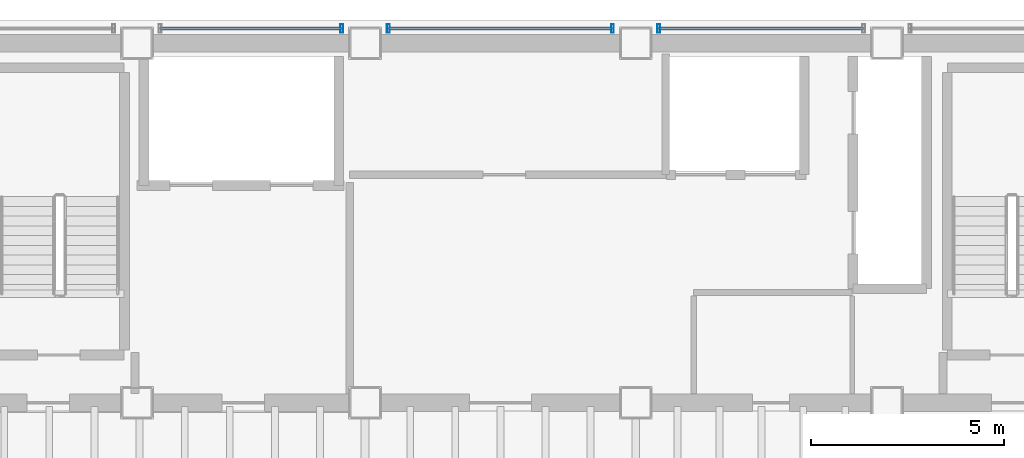
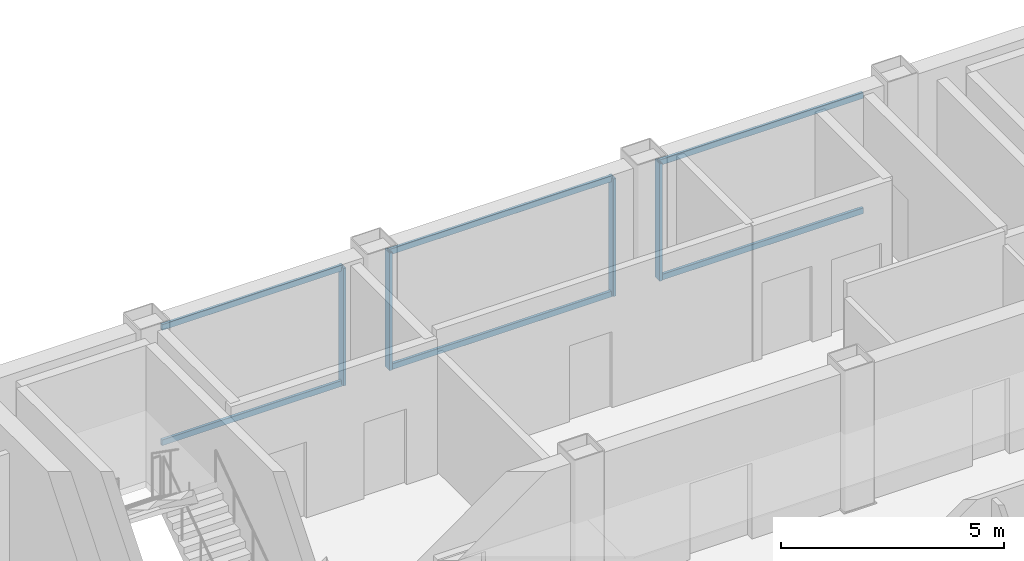
# One storey, part 9 of 17: 10 members, 3 elements without a shape of their own.
"""IFC4 building model written with IfcOpenShell, lengths in metres."""

from ifc_helpers import new_model, si_unit, direction, frame, origin, origin_2d, place, context, subcontext, project, spatial, hollow_rectangle, extrude, material, material_profile, profile_set, type_object, element, aggregate, save


model = new_model("IFC4")

# Units and contexts
model_context = context("Model", 3, precision=1e-05, world=origin(), true_north=direction((0.0, 1.0)))
body_context = subcontext(model_context, "Body", "Model", "MODEL_VIEW")
ifc_project = project(units=[si_unit("LENGTHUNIT", "METRE"), si_unit("AREAUNIT", "SQUARE_METRE"), si_unit("VOLUMEUNIT", "CUBIC_METRE"), si_unit("PLANEANGLEUNIT", "RADIAN"), si_unit("MASSUNIT", "GRAM", prefix="KILO")], contexts=[model_context])

# Site, building, storey
site_placement = place(None, origin())
site = spatial("IfcSite", under=ifc_project, at=site_placement, CompositionType="ELEMENT")
building_placement = place(site_placement, origin())
building = spatial("IfcBuilding", under=site, at=building_placement, Name="Noeulbin Bourse Tower", CompositionType="ELEMENT")
storey_placement = place(building_placement, frame((0.0, 0.0, 250.10009765625)))
storey = spatial("IfcBuildingStorey", under=building, at=storey_placement, Name="L62", CompositionType="ELEMENT", Elevation=250.10009765625)

# Curtain wall, member
ifc_material_1 = material(Name="High-Selectivity Low-Iron Glazing", Category="glass")
curtain_wall_type = type_object("IfcCurtainWallType", Name="CW-SYS-4", PredefinedType="NOTDEFINED", material=ifc_material_1)
curtain_wall_1_placement = place(storey_placement, origin())
curtain_wall_1 = element("IfcCurtainWall", 1, at=curtain_wall_1_placement, inside=storey, type_object=curtain_wall_type, Name="Unitised Curtain Wall CW-L62-N-S3", PredefinedType="NOTDEFINED")
ifc_material_2 = material(Name="Anodised Aluminium 6063-T6", Category="aluminium")
ifc_material_profile_1 = material_profile(ifc_material_2, hollow_rectangle(XDim=0.074951171875, YDim=0.219970703125, WallThickness=0.0048828125, InnerFilletRadius=0.00244140625, OuterFilletRadius=0.0048828125, at=origin_2d()), Name="ALU-MULL-75x220x5", Category="LoadBearing")
ifc_profile_set_1 = profile_set([ifc_material_profile_1], Name="Anodised Aluminium 6063-T6")
member_type_1 = type_object("IfcMemberType", Name="CW-SYS-4-MUL", PredefinedType="MULLION", material=ifc_profile_set_1)
member_1_placement = place(storey_placement, frame((23.39990234375, 38.679931640625, -0.02001953125), z_axis=(0.0, 0.0, 1.0), x_axis=(1.0, 0.0, 0.0)))
member_1 = element("IfcMember", 2, at=member_1_placement, type_object=member_type_1, Name="Curtain Wall Mullion CW-L62-N-S3-M01", PredefinedType="MULLION", context=body_context, shape_type="SweptSolid", body=[
    extrude(hollow_rectangle(XDim=0.074951171875, YDim=0.219970703125, WallThickness=0.0048828125, InnerFilletRadius=0.00244140625, OuterFilletRadius=0.0048828125, at=origin_2d()), origin(), (0.0, 0.0, 1.0), 3.219970703125),
])

# Curtain wall, members
curtain_wall_2_placement = place(storey_placement, origin())
curtain_wall_2 = element("IfcCurtainWall", 3, at=curtain_wall_2_placement, inside=storey, type_object=curtain_wall_type, Name="Unitised Curtain Wall CW-L62-N-S4", PredefinedType="NOTDEFINED")
member_2_placement = place(storey_placement, frame((24.60009765625, 38.679931640625, -0.02001953125), z_axis=(0.0, 0.0, 1.0), x_axis=(1.0, 0.0, 0.0)))
member_2 = element("IfcMember", 4, at=member_2_placement, type_object=member_type_1, Name="Curtain Wall Mullion CW-L62-N-S4-M00", PredefinedType="MULLION", context=body_context, shape_type="SweptSolid", body=[
    extrude(hollow_rectangle(XDim=0.074951171875, YDim=0.219970703125, WallThickness=0.0048828125, InnerFilletRadius=0.00244140625, OuterFilletRadius=0.0048828125, at=origin_2d()), origin(), (0.0, 0.0, 1.0), 3.219970703125),
])
member_3_placement = place(storey_placement, frame((30.39990234375, 38.679931640625, -0.02001953125), z_axis=(0.0, 0.0, 1.0), x_axis=(1.0, 0.0, 0.0)))
member_3 = element("IfcMember", 5, at=member_3_placement, type_object=member_type_1, Name="Curtain Wall Mullion CW-L62-N-S4-M01", PredefinedType="MULLION", context=body_context, shape_type="SweptSolid", body=[
    extrude(hollow_rectangle(XDim=0.074951171875, YDim=0.219970703125, WallThickness=0.0048828125, InnerFilletRadius=0.00244140625, OuterFilletRadius=0.0048828125, at=origin_2d()), origin(), (0.0, 0.0, 1.0), 3.219970703125),
])

# Curtain wall, member
curtain_wall_3_placement = place(storey_placement, origin())
curtain_wall_3 = element("IfcCurtainWall", 6, at=curtain_wall_3_placement, inside=storey, type_object=curtain_wall_type, Name="Unitised Curtain Wall CW-L62-N-S5", PredefinedType="NOTDEFINED")
member_4_placement = place(storey_placement, frame((31.60009765625, 38.679931640625, -0.02001953125), z_axis=(0.0, 0.0, 1.0), x_axis=(1.0, 0.0, 0.0)))
member_4 = element("IfcMember", 7, at=member_4_placement, type_object=member_type_1, Name="Curtain Wall Mullion CW-L62-N-S5-M00", PredefinedType="MULLION", context=body_context, shape_type="SweptSolid", body=[
    extrude(hollow_rectangle(XDim=0.074951171875, YDim=0.219970703125, WallThickness=0.0048828125, InnerFilletRadius=0.00244140625, OuterFilletRadius=0.0048828125, at=origin_2d()), origin(), (0.0, 0.0, 1.0), 3.219970703125),
])

# Member
ifc_material_profile_2 = material_profile(ifc_material_2, hollow_rectangle(XDim=0.074951171875, YDim=0.159912109375, WallThickness=0.0048828125, InnerFilletRadius=0.00244140625, OuterFilletRadius=0.0048828125, at=origin_2d()), Name="ALU-TRAN-75x160x5", Category="LoadBearing")
ifc_profile_set_2 = profile_set([ifc_material_profile_2], Name="Anodised Aluminium 6063-T6")
member_type_2 = type_object("IfcMemberType", Name="CW-SYS-4-TRN", PredefinedType="USERDEFINED", material=ifc_profile_set_2)
member_5_placement = place(storey_placement, frame((18.7099609375, 38.679931640625, 0.010009765625), z_axis=(1.0, 0.0, 0.0), x_axis=(0.0, 1.0, 0.0)))
member_5 = element("IfcMember", 8, at=member_5_placement, type_object=member_type_2, Name="Curtain Wall Transom CW-L62-N-S3-T00", ObjectType="TRANSOM", PredefinedType="USERDEFINED", context=body_context, shape_type="SweptSolid", body=[
    extrude(hollow_rectangle(XDim=0.074951171875, YDim=0.159912109375, WallThickness=0.0048828125, InnerFilletRadius=0.00244140625, OuterFilletRadius=0.0048828125, at=origin_2d()), origin(), (0.0, 0.0, 1.0), 4.679931640625),
])

member_6_placement = place(storey_placement, frame((18.7099609375, 38.679931640625, 3.169921875), z_axis=(1.0, 0.0, 0.0), x_axis=(0.0, 1.0, 0.0)))
member_6 = element("IfcMember", 9, at=member_6_placement, type_object=member_type_2, Name="Curtain Wall Transom CW-L62-N-S3-T01", ObjectType="TRANSOM", PredefinedType="USERDEFINED", context=body_context, shape_type="SweptSolid", body=[
    extrude(hollow_rectangle(XDim=0.074951171875, YDim=0.159912109375, WallThickness=0.0048828125, InnerFilletRadius=0.00244140625, OuterFilletRadius=0.0048828125, at=origin_2d()), origin(), (0.0, 0.0, 1.0), 4.679931640625),
])

aggregate(curtain_wall_1, [member_1, member_5, member_6])

member_7_placement = place(storey_placement, frame((24.610107421875, 38.679931640625, 0.010009765625), z_axis=(1.0, 0.0, 0.0), x_axis=(0.0, 1.0, 0.0)))
member_7 = element("IfcMember", 10, at=member_7_placement, type_object=member_type_2, Name="Curtain Wall Transom CW-L62-N-S4-T00", ObjectType="TRANSOM", PredefinedType="USERDEFINED", context=body_context, shape_type="SweptSolid", body=[
    extrude(hollow_rectangle(XDim=0.074951171875, YDim=0.159912109375, WallThickness=0.0048828125, InnerFilletRadius=0.00244140625, OuterFilletRadius=0.0048828125, at=origin_2d()), origin(), (0.0, 0.0, 1.0), 5.77978515625),
])

member_8_placement = place(storey_placement, frame((24.610107421875, 38.679931640625, 3.169921875), z_axis=(1.0, 0.0, 0.0), x_axis=(0.0, 1.0, 0.0)))
member_8 = element("IfcMember", 11, at=member_8_placement, type_object=member_type_2, Name="Curtain Wall Transom CW-L62-N-S4-T01", ObjectType="TRANSOM", PredefinedType="USERDEFINED", context=body_context, shape_type="SweptSolid", body=[
    extrude(hollow_rectangle(XDim=0.074951171875, YDim=0.159912109375, WallThickness=0.0048828125, InnerFilletRadius=0.00244140625, OuterFilletRadius=0.0048828125, at=origin_2d()), origin(), (0.0, 0.0, 1.0), 5.77978515625),
])

aggregate(curtain_wall_2, [member_2, member_3, member_7, member_8])

member_9_placement = place(storey_placement, frame((31.610107421875, 38.679931640625, 0.010009765625), z_axis=(1.0, 0.0, 0.0), x_axis=(0.0, 1.0, 0.0)))
member_9 = element("IfcMember", 12, at=member_9_placement, type_object=member_type_2, Name="Curtain Wall Transom CW-L62-N-S5-T00", ObjectType="TRANSOM", PredefinedType="USERDEFINED", context=body_context, shape_type="SweptSolid", body=[
    extrude(hollow_rectangle(XDim=0.074951171875, YDim=0.159912109375, WallThickness=0.0048828125, InnerFilletRadius=0.00244140625, OuterFilletRadius=0.0048828125, at=origin_2d()), origin(), (0.0, 0.0, 1.0), 5.27978515625),
])

member_10_placement = place(storey_placement, frame((31.610107421875, 38.679931640625, 3.169921875), z_axis=(1.0, 0.0, 0.0), x_axis=(0.0, 1.0, 0.0)))
member_10 = element("IfcMember", 13, at=member_10_placement, type_object=member_type_2, Name="Curtain Wall Transom CW-L62-N-S5-T01", ObjectType="TRANSOM", PredefinedType="USERDEFINED", context=body_context, shape_type="SweptSolid", body=[
    extrude(hollow_rectangle(XDim=0.074951171875, YDim=0.159912109375, WallThickness=0.0048828125, InnerFilletRadius=0.00244140625, OuterFilletRadius=0.0048828125, at=origin_2d()), origin(), (0.0, 0.0, 1.0), 5.27978515625),
])

aggregate(curtain_wall_3, [member_4, member_9, member_10])

save(model, "model.ifc")
